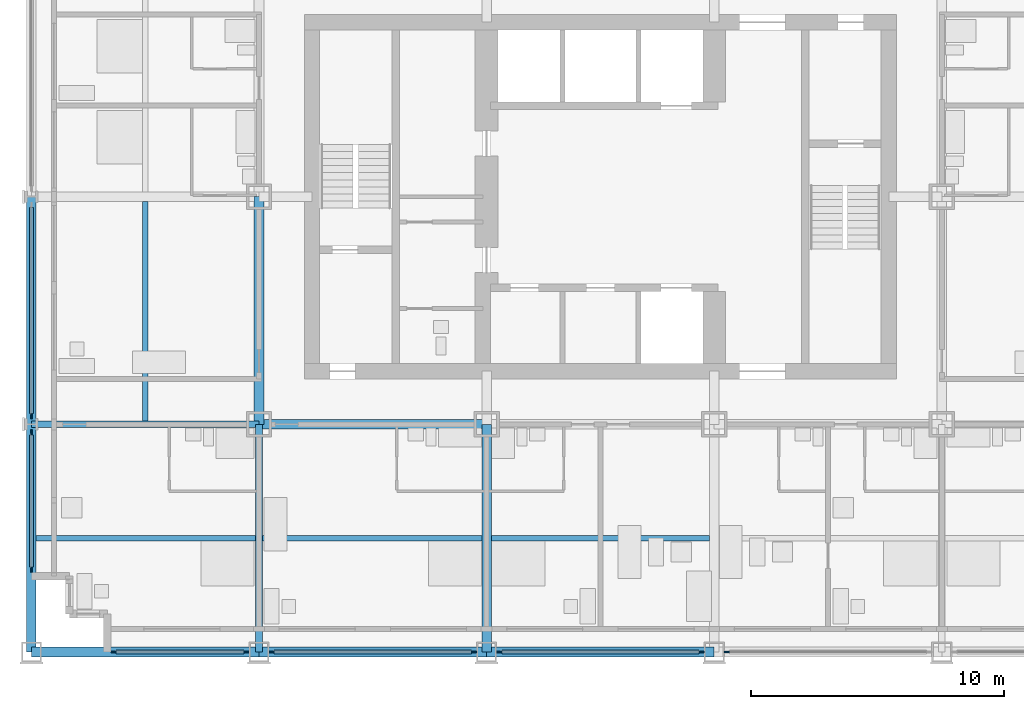
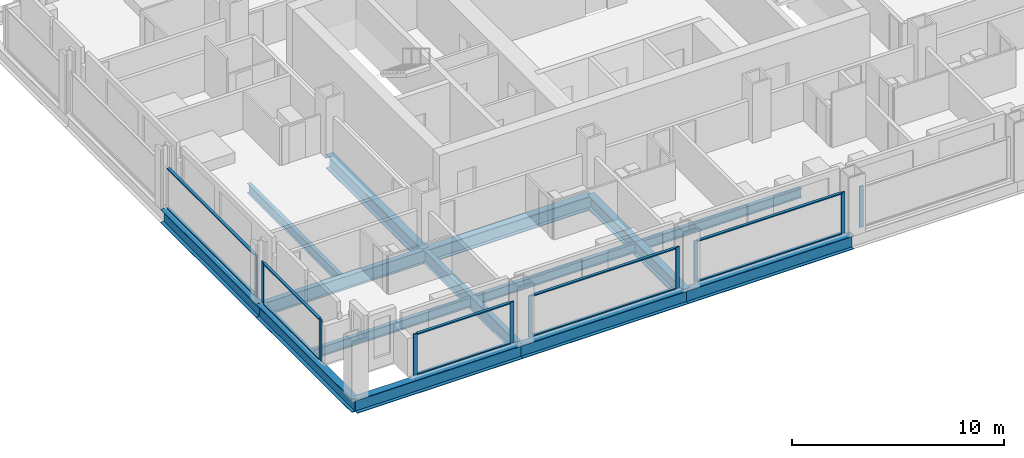
# One storey, part 2 of 17: 20 members, 14 beams, 6 elements without a shape of their own.
"""IFC4 building model written with IfcOpenShell, lengths in metres."""

from ifc_helpers import new_model, si_unit, direction, frame, origin, origin_2d, place, context, subcontext, project, spatial, rectangle, i_section, extrude, material, material_profile, profile_set, type_object, element, aggregate, save


model = new_model("IFC4")

# Units and contexts
model_context = context("Model", 3, precision=1e-05, world=origin(), true_north=direction((0.0, 1.0)))
body_context = subcontext(model_context, "Body", "Model", "MODEL_VIEW")
ifc_project = project(units=[si_unit("LENGTHUNIT", "METRE"), si_unit("AREAUNIT", "SQUARE_METRE"), si_unit("VOLUMEUNIT", "CUBIC_METRE"), si_unit("PLANEANGLEUNIT", "RADIAN"), si_unit("MASSUNIT", "GRAM", prefix="KILO")], contexts=[model_context])

# Site, building, storey
site_placement = place(None, origin())
site = spatial("IfcSite", under=ifc_project, at=site_placement, CompositionType="ELEMENT")
building_placement = place(site_placement, origin())
building = spatial("IfcBuilding", under=site, at=building_placement, Name="Loomwork Tower", CompositionType="ELEMENT")
storey_placement = place(building_placement, frame((0.0, 0.0, 152.0)))
storey = spatial("IfcBuildingStorey", under=building, at=storey_placement, Name="L41", CompositionType="ELEMENT", Elevation=152.0)

# Beams
ifc_material_1 = material(Name="Steel ASTM A992", Category="steel")
ifc_material_profile_1 = material_profile(ifc_material_1, i_section(OverallWidth=0.383544921875, OverallDepth=0.794921875, WebThickness=0.02099609375, FlangeThickness=0.0380859375, at=origin_2d()), Name="W30x235")
ifc_profile_set_1 = profile_set([ifc_material_profile_1], Name="Steel ASTM A992")
beam_type_1 = type_object("IfcBeamType", Name="CORE FLANK GIRDER W30x235", PredefinedType="BEAM", material=ifc_profile_set_1)
for number, where, z_axis, x_axis, name in (
    (1, (9.0, 9.0, -0.597412109375), (1.0, 0.0, 0.0), (0.0, 1.0, 0.0), "Core Flank Girder E/3-E/4 L41"),
    (2, (9.0, 9.0, -0.597412109375), (0.0, 1.0, 0.0), (-1.0, 0.0, 0.0), "Core Flank Girder E/3-F/3 L41"),
    (3, (18.0, 0.0, -0.597412109375), (0.0, 1.0, 0.0), (-1.0, 0.0, 0.0), "Core Flank Girder D/4-E/4 L41"),
):
    element("IfcBeam", number, at=place(storey_placement, frame(where, z_axis=z_axis, x_axis=x_axis)), inside=storey, type_object=beam_type_1, Name=name, PredefinedType="BEAM", context=body_context, shape_type="SweptSolid", body=[
        extrude(i_section(OverallWidth=0.383544921875, OverallDepth=0.794921875, WebThickness=0.02099609375, FlangeThickness=0.0380859375, at=origin_2d()), origin(), (0.0, 0.0, 1.0), 9.0),
    ])
ifc_material_2 = material(Name="Steel ASTM A992", Category="steel")
ifc_material_profile_2 = material_profile(ifc_material_2, i_section(OverallWidth=0.2666015625, OverallDepth=0.761962890625, WebThickness=0.014404296875, FlangeThickness=0.021484375, at=origin_2d()), Name="W30x116")
ifc_profile_set_2 = profile_set([ifc_material_profile_2], Name="Steel ASTM A992")
beam_type_2 = type_object("IfcBeamType", Name="FLOOR GIRDER W30x116", PredefinedType="BEAM", material=ifc_profile_set_2)
for number, where, z_axis, x_axis, name in (
    (4, (0.0, 9.0, -0.5810546875), (1.0, 0.0, 0.0), (0.0, 1.0, 0.0), "Floor Girder E/2-E/3 L41"),
    (5, (9.0, 0.0, -0.5810546875), (0.0, 1.0, 0.0), (-1.0, 0.0, 0.0), "Floor Girder D/3-E/3 L41"),
):
    element("IfcBeam", number, at=place(storey_placement, frame(where, z_axis=z_axis, x_axis=x_axis)), inside=storey, type_object=beam_type_2, Name=name, PredefinedType="BEAM", context=body_context, shape_type="SweptSolid", body=[
        extrude(i_section(OverallWidth=0.2666015625, OverallDepth=0.761962890625, WebThickness=0.014404296875, FlangeThickness=0.021484375, at=origin_2d()), origin(), (0.0, 0.0, 1.0), 9.0),
    ])
ifc_material_3 = material(Name="Steel ASTM A992", Category="steel")
ifc_material_profile_3 = material_profile(ifc_material_3, i_section(OverallWidth=0.2109375, OverallDepth=0.53857421875, WebThickness=0.011474609375, FlangeThickness=0.018798828125, at=origin_2d()), Name="W21x73")
ifc_profile_set_3 = profile_set([ifc_material_profile_3], Name="Steel ASTM A992")
beam_type_3 = type_object("IfcBeamType", Name="FLOOR JOIST W21x73", PredefinedType="JOIST", material=ifc_profile_set_3)
beam_1_placement = place(storey_placement, frame((0.18994140625, 4.5, -0.46923828125), z_axis=(1.0, 0.0, 0.0), x_axis=(0.0, 1.0, 0.0)))
element("IfcBeam", 6, at=beam_1_placement, inside=storey, type_object=beam_type_3, Name="Floor Joist 0.000,4.500-9.000,4.500 L41", PredefinedType="JOIST", context=body_context, shape_type="SweptSolid", body=[
    extrude(i_section(OverallWidth=0.2109375, OverallDepth=0.53857421875, WebThickness=0.011474609375, FlangeThickness=0.018798828125, at=origin_2d()), origin(), (0.0, 0.0, 1.0), 8.677001953125),
])
for number, where, z_axis, x_axis, name in (
    (7, (4.5, 9.133056640625, -0.46923828125), (0.0, 1.0, 0.0), (-1.0, 0.0, 0.0), "Floor Joist 4.500,9.000-4.500,18.000 L41"),
    (8, (9.133056640625, 4.5, -0.46923828125), (1.0, 0.0, 0.0), (0.0, 1.0, 0.0), "Floor Joist 9.000,4.500-18.000,4.500 L41"),
):
    element("IfcBeam", number, at=place(storey_placement, frame(where, z_axis=z_axis, x_axis=x_axis)), inside=storey, type_object=beam_type_3, Name=name, PredefinedType="JOIST", context=body_context, shape_type="SweptSolid", body=[
        extrude(i_section(OverallWidth=0.2109375, OverallDepth=0.53857421875, WebThickness=0.011474609375, FlangeThickness=0.018798828125, at=origin_2d()), origin(), (0.0, 0.0, 1.0), 8.676025390625),
    ])
beam_2_placement = place(storey_placement, frame((18.19091796875, 4.5, -0.46923828125), z_axis=(1.0, 0.0, 0.0), x_axis=(0.0, 1.0, 0.0)))
element("IfcBeam", 9, at=beam_2_placement, inside=storey, type_object=beam_type_3, Name="Floor Joist 18.000,4.500-27.000,4.500 L41", PredefinedType="JOIST", context=body_context, shape_type="SweptSolid", body=[
    extrude(i_section(OverallWidth=0.2109375, OverallDepth=0.53857421875, WebThickness=0.011474609375, FlangeThickness=0.018798828125, at=origin_2d()), origin(), (0.0, 0.0, 1.0), 8.6181640625),
])

# Curtain wall, members
ifc_material_4 = material(Name="Aluminium curtain wall frame", Category="aluminium")
curtain_wall_type = type_object("IfcCurtainWallType", Name="Outer skin glazing hotel", PredefinedType="NOTDEFINED", material=ifc_material_4)
curtain_wall_1_placement = place(storey_placement, origin())
curtain_wall_1 = element("IfcCurtainWall", 10, at=curtain_wall_1_placement, inside=storey, type_object=curtain_wall_type, Name="Outer skin glazing hotel cw/S-0", PredefinedType="NOTDEFINED")
ifc_material_5 = material(Name="Aluminium curtain wall frame", Category="aluminium")
ifc_material_profile_4 = material_profile(ifc_material_5, rectangle(XDim=0.06494140625, YDim=0.199951171875, at=origin_2d()), Name="AL 65x200")
ifc_profile_set_4 = profile_set([ifc_material_profile_4], Name="Aluminium curtain wall frame")
member_type_1 = type_object("IfcMemberType", Name="Outer skin glazing hotel mullion", PredefinedType="MULLION", material=ifc_profile_set_4)
member_1_placement = place(storey_placement, frame((3.25, 0.0, 0.0), z_axis=(0.0, 0.0, 1.0), x_axis=(0.0, 1.0, 0.0)))
member_1 = element("IfcMember", 11, at=member_1_placement, type_object=member_type_1, Name="CW1 mullion 1", PredefinedType="MULLION", context=body_context, shape_type="SweptSolid", body=[
    extrude(rectangle(XDim=0.06494140625, YDim=0.199951171875, at=origin_2d()), origin(), (0.0, 0.0, 1.0), 2.3701171875),
])
member_2_placement = place(storey_placement, frame((8.5, 0.0, 0.0), z_axis=(0.0, 0.0, 1.0), x_axis=(0.0, 1.0, 0.0)))
member_2 = element("IfcMember", 12, at=member_2_placement, type_object=member_type_1, Name="CW1 mullion 2", PredefinedType="MULLION", context=body_context, shape_type="SweptSolid", body=[
    extrude(rectangle(XDim=0.06494140625, YDim=0.199951171875, at=origin_2d()), origin(), (0.0, 0.0, 1.0), 2.3701171875),
])

curtain_wall_2_placement = place(storey_placement, origin())
curtain_wall_2 = element("IfcCurtainWall", 13, at=curtain_wall_2_placement, inside=storey, type_object=curtain_wall_type, Name="Outer skin glazing hotel cw/S-9", PredefinedType="NOTDEFINED")
member_3_placement = place(storey_placement, frame((9.5, 0.0, 0.0), z_axis=(0.0, 0.0, 1.0), x_axis=(0.0, 1.0, 0.0)))
member_3 = element("IfcMember", 14, at=member_3_placement, type_object=member_type_1, Name="CW1 mullion 1", PredefinedType="MULLION", context=body_context, shape_type="SweptSolid", body=[
    extrude(rectangle(XDim=0.06494140625, YDim=0.199951171875, at=origin_2d()), origin(), (0.0, 0.0, 1.0), 2.3701171875),
])
member_4_placement = place(storey_placement, frame((17.5, 0.0, 0.0), z_axis=(0.0, 0.0, 1.0), x_axis=(0.0, 1.0, 0.0)))
member_4 = element("IfcMember", 15, at=member_4_placement, type_object=member_type_1, Name="CW1 mullion 2", PredefinedType="MULLION", context=body_context, shape_type="SweptSolid", body=[
    extrude(rectangle(XDim=0.06494140625, YDim=0.199951171875, at=origin_2d()), origin(), (0.0, 0.0, 1.0), 2.3701171875),
])

curtain_wall_3_placement = place(storey_placement, origin())
curtain_wall_3 = element("IfcCurtainWall", 16, at=curtain_wall_3_placement, inside=storey, type_object=curtain_wall_type, Name="Outer skin glazing hotel cw/S-18", PredefinedType="NOTDEFINED")
member_5_placement = place(storey_placement, frame((18.5, 0.0, 0.0), z_axis=(0.0, 0.0, 1.0), x_axis=(0.0, 1.0, 0.0)))
member_5 = element("IfcMember", 17, at=member_5_placement, type_object=member_type_1, Name="CW1 mullion 1", PredefinedType="MULLION", context=body_context, shape_type="SweptSolid", body=[
    extrude(rectangle(XDim=0.06494140625, YDim=0.199951171875, at=origin_2d()), origin(), (0.0, 0.0, 1.0), 2.3701171875),
])
member_6_placement = place(storey_placement, frame((26.5, 0.0, 0.0), z_axis=(0.0, 0.0, 1.0), x_axis=(0.0, 1.0, 0.0)))
member_6 = element("IfcMember", 18, at=member_6_placement, type_object=member_type_1, Name="CW1 mullion 2", PredefinedType="MULLION", context=body_context, shape_type="SweptSolid", body=[
    extrude(rectangle(XDim=0.06494140625, YDim=0.199951171875, at=origin_2d()), origin(), (0.0, 0.0, 1.0), 2.3701171875),
])

# Curtain wall, member
curtain_wall_4_placement = place(storey_placement, origin())
curtain_wall_4 = element("IfcCurtainWall", 19, at=curtain_wall_4_placement, inside=storey, type_object=curtain_wall_type, Name="Outer skin glazing hotel cw/S-27", PredefinedType="NOTDEFINED")
member_7_placement = place(storey_placement, frame((27.5, 0.0, 0.0), z_axis=(0.0, 0.0, 1.0), x_axis=(0.0, 1.0, 0.0)))
member_7 = element("IfcMember", 20, at=member_7_placement, type_object=member_type_1, Name="CW1 mullion 1", PredefinedType="MULLION", context=body_context, shape_type="SweptSolid", body=[
    extrude(rectangle(XDim=0.06494140625, YDim=0.199951171875, at=origin_2d()), origin(), (0.0, 0.0, 1.0), 2.3701171875),
])
aggregate(curtain_wall_4, [member_7])

# Curtain wall, members
curtain_wall_5_placement = place(storey_placement, origin())
curtain_wall_5 = element("IfcCurtainWall", 21, at=curtain_wall_5_placement, inside=storey, type_object=curtain_wall_type, Name="Outer skin glazing hotel cw/W-0", PredefinedType="NOTDEFINED")
member_8_placement = place(storey_placement, frame((0.0, 8.678955078125, 0.0), z_axis=(0.0, 0.0, 1.0), x_axis=(1.0, 0.0, 0.0)))
member_8 = element("IfcMember", 22, at=member_8_placement, type_object=member_type_1, Name="CW1 mullion 1", PredefinedType="MULLION", context=body_context, shape_type="SweptSolid", body=[
    extrude(rectangle(XDim=0.06494140625, YDim=0.199951171875, at=origin_2d()), origin(), (0.0, 0.0, 1.0), 2.3701171875),
])
member_9_placement = place(storey_placement, frame((0.0, 3.25, 0.0), z_axis=(0.0, 0.0, 1.0), x_axis=(1.0, 0.0, 0.0)))
member_9 = element("IfcMember", 23, at=member_9_placement, type_object=member_type_1, Name="CW1 mullion 2", PredefinedType="MULLION", context=body_context, shape_type="SweptSolid", body=[
    extrude(rectangle(XDim=0.06494140625, YDim=0.199951171875, at=origin_2d()), origin(), (0.0, 0.0, 1.0), 2.3701171875),
])

# Curtain wall, member
curtain_wall_6_placement = place(storey_placement, origin())
curtain_wall_6 = element("IfcCurtainWall", 24, at=curtain_wall_6_placement, inside=storey, type_object=curtain_wall_type, Name="Outer skin glazing hotel cw/W-9", PredefinedType="NOTDEFINED")
member_10_placement = place(storey_placement, frame((0.0, 9.321044921875, 0.0), z_axis=(0.0, 0.0, 1.0), x_axis=(1.0, 0.0, 0.0)))
member_10 = element("IfcMember", 25, at=member_10_placement, type_object=member_type_1, Name="CW1 mullion 2", PredefinedType="MULLION", context=body_context, shape_type="SweptSolid", body=[
    extrude(rectangle(XDim=0.06494140625, YDim=0.199951171875, at=origin_2d()), origin(), (0.0, 0.0, 1.0), 2.3701171875),
])

# Member
ifc_material_6 = material(Name="Aluminium curtain wall frame", Category="aluminium")
ifc_material_profile_5 = material_profile(ifc_material_6, rectangle(XDim=0.14990234375, YDim=0.06494140625, at=origin_2d()), Name="AL 65x150")
ifc_profile_set_5 = profile_set([ifc_material_profile_5], Name="Aluminium curtain wall frame")
member_type_2 = type_object("IfcMemberType", Name="Outer skin glazing hotel transom", PredefinedType="USERDEFINED", material=ifc_profile_set_5)
member_11_placement = place(storey_placement, frame((3.35009765625, 0.0, 0.032470703125), z_axis=(1.0, 0.0, 0.0), x_axis=(0.0, 1.0, 0.0)))
member_11 = element("IfcMember", 26, at=member_11_placement, type_object=member_type_2, Name="CW1 transom 1.1", ObjectType="TRANSOM", PredefinedType="USERDEFINED", context=body_context, shape_type="SweptSolid", body=[
    extrude(rectangle(XDim=0.14990234375, YDim=0.06494140625, at=origin_2d()), origin(), (0.0, 0.0, 1.0), 5.0498046875),
])

member_12_placement = place(storey_placement, frame((3.35009765625, 0.0, 2.337646484375), z_axis=(1.0, 0.0, 0.0), x_axis=(0.0, 1.0, 0.0)))
member_12 = element("IfcMember", 27, at=member_12_placement, type_object=member_type_2, Name="CW1 transom 1.2", ObjectType="TRANSOM", PredefinedType="USERDEFINED", context=body_context, shape_type="SweptSolid", body=[
    extrude(rectangle(XDim=0.14990234375, YDim=0.06494140625, at=origin_2d()), origin(), (0.0, 0.0, 1.0), 5.0498046875),
])

aggregate(curtain_wall_1, [member_1, member_2, member_11, member_12])

member_13_placement = place(storey_placement, frame((9.60009765625, 0.0, 0.032470703125), z_axis=(1.0, 0.0, 0.0), x_axis=(0.0, 1.0, 0.0)))
member_13 = element("IfcMember", 28, at=member_13_placement, type_object=member_type_2, Name="CW1 transom 1.1", ObjectType="TRANSOM", PredefinedType="USERDEFINED", context=body_context, shape_type="SweptSolid", body=[
    extrude(rectangle(XDim=0.14990234375, YDim=0.06494140625, at=origin_2d()), origin(), (0.0, 0.0, 1.0), 7.7998046875),
])

member_14_placement = place(storey_placement, frame((9.60009765625, 0.0, 2.337646484375), z_axis=(1.0, 0.0, 0.0), x_axis=(0.0, 1.0, 0.0)))
member_14 = element("IfcMember", 29, at=member_14_placement, type_object=member_type_2, Name="CW1 transom 1.2", ObjectType="TRANSOM", PredefinedType="USERDEFINED", context=body_context, shape_type="SweptSolid", body=[
    extrude(rectangle(XDim=0.14990234375, YDim=0.06494140625, at=origin_2d()), origin(), (0.0, 0.0, 1.0), 7.7998046875),
])

aggregate(curtain_wall_2, [member_3, member_4, member_13, member_14])

member_15_placement = place(storey_placement, frame((18.60009765625, 0.0, 0.032470703125), z_axis=(1.0, 0.0, 0.0), x_axis=(0.0, 1.0, 0.0)))
member_15 = element("IfcMember", 30, at=member_15_placement, type_object=member_type_2, Name="CW1 transom 1.1", ObjectType="TRANSOM", PredefinedType="USERDEFINED", context=body_context, shape_type="SweptSolid", body=[
    extrude(rectangle(XDim=0.14990234375, YDim=0.06494140625, at=origin_2d()), origin(), (0.0, 0.0, 1.0), 7.7998046875),
])

member_16_placement = place(storey_placement, frame((18.60009765625, 0.0, 2.337646484375), z_axis=(1.0, 0.0, 0.0), x_axis=(0.0, 1.0, 0.0)))
member_16 = element("IfcMember", 31, at=member_16_placement, type_object=member_type_2, Name="CW1 transom 1.2", ObjectType="TRANSOM", PredefinedType="USERDEFINED", context=body_context, shape_type="SweptSolid", body=[
    extrude(rectangle(XDim=0.14990234375, YDim=0.06494140625, at=origin_2d()), origin(), (0.0, 0.0, 1.0), 7.7998046875),
])

aggregate(curtain_wall_3, [member_5, member_6, member_15, member_16])

member_17_placement = place(storey_placement, frame((0.0, 8.5791015625, 0.032470703125), z_axis=(0.0, -1.0, 0.0), x_axis=(1.0, 0.0, 0.0)))
member_17 = element("IfcMember", 32, at=member_17_placement, type_object=member_type_2, Name="CW1 transom 1.1", ObjectType="TRANSOM", PredefinedType="USERDEFINED", context=body_context, shape_type="SweptSolid", body=[
    extrude(rectangle(XDim=0.14990234375, YDim=0.06494140625, at=origin_2d()), origin(), (0.0, 0.0, 1.0), 5.22900390625),
])

member_18_placement = place(storey_placement, frame((0.0, 8.5791015625, 2.337646484375), z_axis=(0.0, -1.0, 0.0), x_axis=(1.0, 0.0, 0.0)))
member_18 = element("IfcMember", 33, at=member_18_placement, type_object=member_type_2, Name="CW1 transom 1.2", ObjectType="TRANSOM", PredefinedType="USERDEFINED", context=body_context, shape_type="SweptSolid", body=[
    extrude(rectangle(XDim=0.14990234375, YDim=0.06494140625, at=origin_2d()), origin(), (0.0, 0.0, 1.0), 5.22900390625),
])

aggregate(curtain_wall_5, [member_8, member_9, member_17, member_18])

member_19_placement = place(storey_placement, frame((0.0, 17.5791015625, 0.032470703125), z_axis=(0.0, -1.0, 0.0), x_axis=(1.0, 0.0, 0.0)))
member_19 = element("IfcMember", 34, at=member_19_placement, type_object=member_type_2, Name="CW1 transom 1.1", ObjectType="TRANSOM", PredefinedType="USERDEFINED", context=body_context, shape_type="SweptSolid", body=[
    extrude(rectangle(XDim=0.14990234375, YDim=0.06494140625, at=origin_2d()), origin(), (0.0, 0.0, 1.0), 8.158203125),
])

member_20_placement = place(storey_placement, frame((0.0, 17.5791015625, 2.337646484375), z_axis=(0.0, -1.0, 0.0), x_axis=(1.0, 0.0, 0.0)))
member_20 = element("IfcMember", 35, at=member_20_placement, type_object=member_type_2, Name="CW1 transom 1.2", ObjectType="TRANSOM", PredefinedType="USERDEFINED", context=body_context, shape_type="SweptSolid", body=[
    extrude(rectangle(XDim=0.14990234375, YDim=0.06494140625, at=origin_2d()), origin(), (0.0, 0.0, 1.0), 8.158203125),
])

aggregate(curtain_wall_6, [member_10, member_19, member_20])

# Beams
ifc_material_7 = material(Name="Steel ASTM A992", Category="steel")
ifc_material_profile_6 = material_profile(ifc_material_7, i_section(OverallWidth=0.381103515625, OverallDepth=0.77978515625, WebThickness=0.01806640625, FlangeThickness=0.0302734375, at=origin_2d()), Name="W30x191")
ifc_profile_set_6 = profile_set([ifc_material_profile_6], Name="Steel ASTM A992")
beam_type_4 = type_object("IfcBeamType", Name="SPANDREL GIRDER W30x191", PredefinedType="SPANDREL", material=ifc_profile_set_6)
for number, where, z_axis, x_axis, name in (
    (36, (0.0, 0.0, -0.58984375), (1.0, 0.0, 0.0), (0.0, 1.0, 0.0), "Spandrel Girder D/2-D/3 L41"),
    (37, (9.0, 0.0, -0.58984375), (1.0, 0.0, 0.0), (0.0, 1.0, 0.0), "Spandrel Girder D/3-D/4 L41"),
    (38, (18.0, 0.0, -0.58984375), (1.0, 0.0, 0.0), (0.0, 1.0, 0.0), "Spandrel Girder D/4-D/5 L41"),
    (39, (0.0, 0.0, -0.58984375), (0.0, 1.0, 0.0), (-1.0, 0.0, 0.0), "Spandrel Girder D/2-E/2 L41"),
    (40, (0.0, 9.0, -0.58984375), (0.0, 1.0, 0.0), (-1.0, 0.0, 0.0), "Spandrel Girder E/2-F/2 L41"),
):
    element("IfcBeam", number, at=place(storey_placement, frame(where, z_axis=z_axis, x_axis=x_axis)), inside=storey, type_object=beam_type_4, Name=name, PredefinedType="SPANDREL", context=body_context, shape_type="SweptSolid", body=[
        extrude(i_section(OverallWidth=0.381103515625, OverallDepth=0.77978515625, WebThickness=0.01806640625, FlangeThickness=0.0302734375, at=origin_2d()), origin(), (0.0, 0.0, 1.0), 9.0),
    ])

save(model, "model.ifc")
